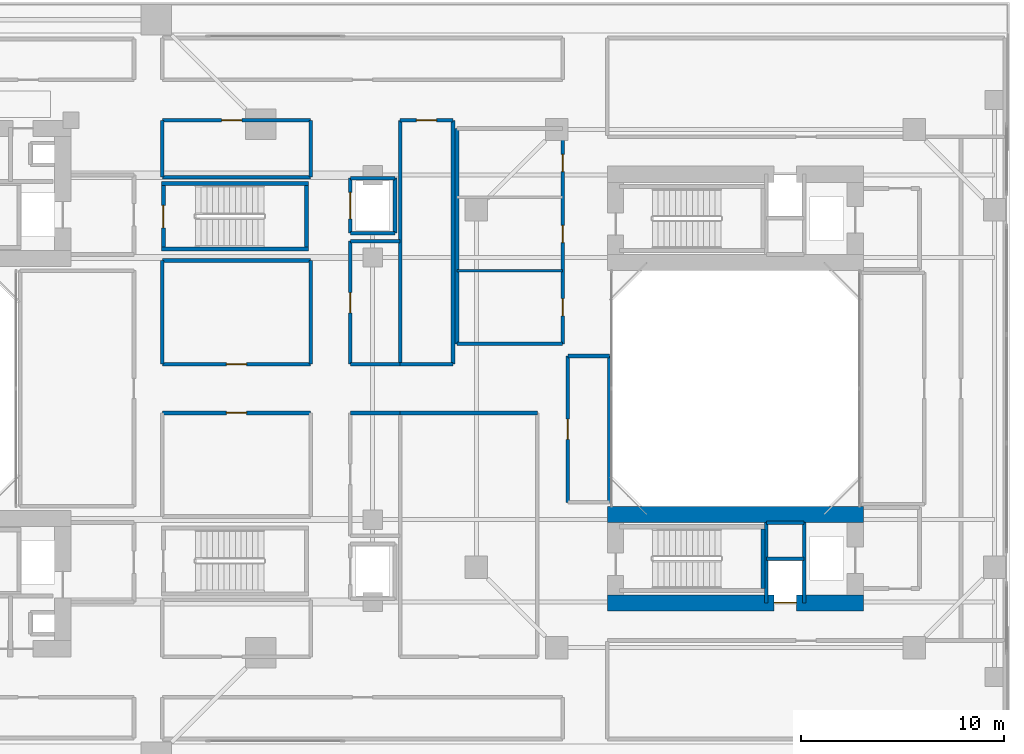
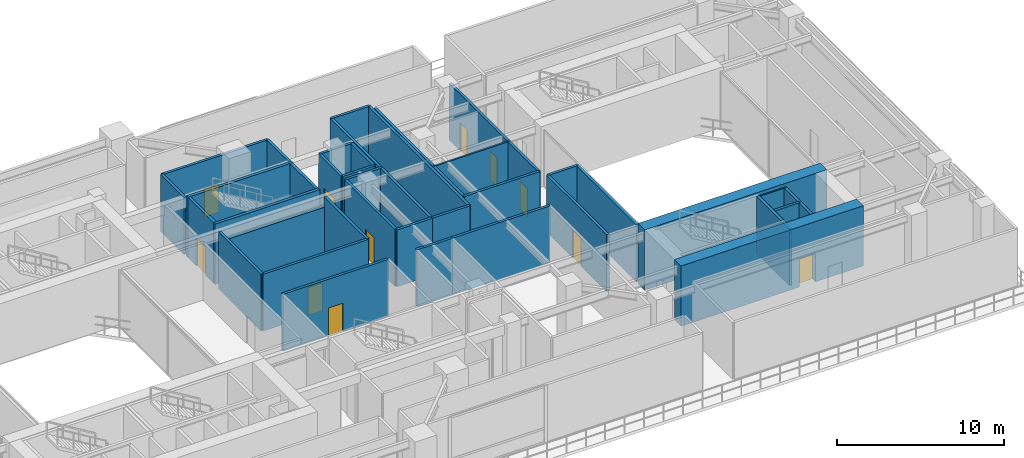
# One storey, part 14 of 20: 40 walls, 12 doors, 12 openings.
"""IFC4 building model written with IfcOpenShell, lengths in metres."""

import ifcopenshell
import ifcopenshell.guid

model = None  # the IFC model being written
_history = None  # IfcOwnerHistory: only IFC2X3 demands one
_inside = {}  # id of a spatial element -> (the spatial element, [elements in it])
_under = {}  # id of a project, library or spatial element -> (it, [spatial elements below it])
_declared = {}  # id of a project -> (the project, [libraries it declares])
_typed = {}  # id of a type object -> (the type object, [elements of that type])
_made_of = {}  # id of a material, layer set ... -> (it, [elements and type objects made of it])


def new_model(schema):
    """Start an empty IFC model of exactly this schema.

    Asked for "IFC4X3", IfcOpenShell would pick the latest addendum, in which some entities
    have other attributes; the version numbers below select the first issue.
    IFC2X3 requires an IfcOwnerHistory on every rooted entity: one is made here for all.
    """
    global model, _history
    if schema == "IFC4X3":
        model = ifcopenshell.file(schema_version=(4, 3, 0, 0))
    else:
        model = ifcopenshell.file(schema=schema)
    _inside.clear()
    _under.clear()
    _declared.clear()
    _typed.clear()
    _made_of.clear()
    _history = None
    if model.schema == "IFC2X3":
        org = make("IfcOrganization", Name="unknown")
        user = make(
            "IfcPersonAndOrganization",
            ThePerson=make("IfcPerson", FamilyName="unknown"),
            TheOrganization=org,
        )
        app = make(
            "IfcApplication",
            ApplicationDeveloper=org,
            Version="unknown",
            ApplicationFullName="unknown",
            ApplicationIdentifier="unknown",
        )
        _history = make(
            "IfcOwnerHistory",
            OwningUser=user,
            OwningApplication=app,
            ChangeAction="ADDED",
            CreationDate=0,
        )
    return model


def make(cls, **values):
    """One entity of the class cls with the attributes given. An attribute that is None is left unset."""
    return model.create_entity(
        cls, **{name: value for name, value in values.items() if value is not None}
    )


def rooted(cls, **values):
    """An entity with a GlobalId (a new one), such as an element, a storey or a relation."""
    return make(cls, GlobalId=ifcopenshell.guid.new(), OwnerHistory=_history, **values)


def si_unit(unit_type, name, prefix=None):
    """IfcSIUnit, for example si_unit("LENGTHUNIT", "METRE", prefix="MILLI")."""
    return make("IfcSIUnit", UnitType=unit_type, Prefix=prefix, Name=name)


def assignment(units):
    """IfcUnitAssignment: the units of a project."""
    return None if units is None else make("IfcUnitAssignment", Units=units)


def point(xyz):
    """IfcCartesianPoint."""
    return None if xyz is None else make("IfcCartesianPoint", Coordinates=xyz)


def direction(xyz):
    """IfcDirection."""
    return None if xyz is None else make("IfcDirection", DirectionRatios=xyz)


def frame(location, z_axis=None, x_axis=None):
    """IfcAxis2Placement3D, a coordinate frame: its origin and axes. An axis left out is left unset."""
    return make(
        "IfcAxis2Placement3D",
        Location=point(location),
        Axis=direction(z_axis),
        RefDirection=direction(x_axis),
    )


def frame_2d(location, x_axis=None):
    """IfcAxis2Placement2D, a coordinate frame in the plane: its origin and x axis."""
    return make(
        "IfcAxis2Placement2D", Location=point(location), RefDirection=direction(x_axis)
    )


def origin():
    """The frame at (0, 0, 0) with its axes left unset."""
    return frame((0.0, 0.0, 0.0))


def place(relative_to, where):
    """IfcLocalPlacement: puts the frame where relative to a parent placement (None: the world)."""
    return make(
        "IfcLocalPlacement", PlacementRelTo=relative_to, RelativePlacement=where
    )


def context(
    kind, dimensions, precision=None, world=None, true_north=None, identifier=None
):
    """IfcGeometricRepresentationContext, for example the 3D "Model" context."""
    return make(
        "IfcGeometricRepresentationContext",
        ContextIdentifier=identifier,
        ContextType=kind,
        CoordinateSpaceDimension=dimensions,
        Precision=precision,
        WorldCoordinateSystem=world,
        TrueNorth=true_north,
    )


def subcontext(parent, identifier, kind, view, scale=None):
    """IfcGeometricRepresentationSubContext, for example "Body" below "Model"."""
    return make(
        "IfcGeometricRepresentationSubContext",
        ContextIdentifier=identifier,
        ContextType=kind,
        ParentContext=parent,
        TargetScale=scale,
        TargetView=view,
    )


def project(units=None, contexts=None):
    """IfcProject with its units and contexts."""
    return rooted(
        "IfcProject",
        Name="project",
        RepresentationContexts=contexts,
        UnitsInContext=assignment(units),
    )


def spatial(cls, under=None, at=None, **own):
    """A site, building, storey or space (cls), placed at a placement, below another one or the project."""
    s = rooted(cls, ObjectPlacement=at, **own)
    if under is not None:
        _under.setdefault(under.id(), (under, []))[1].append(s)
    return s


def profile(cls, at=None, kind="AREA", **sizes):
    """A parametric profile (cls). Its sizes go by their IFC names, for example OverallWidth=200.0."""
    return make(cls, ProfileType=kind, Position=at, **sizes)


def rectangle(**sizes):
    """IfcRectangleProfileDef."""
    return profile("IfcRectangleProfileDef", **sizes)


def extrude(swept, where, along, depth):
    """IfcExtrudedAreaSolid: the profile swept, set in the frame where, extruded along a direction by depth."""
    return make(
        "IfcExtrudedAreaSolid",
        SweptArea=swept,
        Position=where,
        ExtrudedDirection=direction(along),
        Depth=depth,
    )


def shape(context_of_items, identifier, shape_type, items):
    """IfcShapeRepresentation: the items that make up one representation, for example the "Body"."""
    return make(
        "IfcShapeRepresentation",
        ContextOfItems=context_of_items,
        RepresentationIdentifier=identifier,
        RepresentationType=shape_type,
        Items=items,
    )


def source(mapping_origin, context_of_items, identifier, shape_type, items):
    """IfcRepresentationMap: a shape defined once, which mapped items show again and again."""
    return make(
        "IfcRepresentationMap",
        MappingOrigin=mapping_origin,
        MappedRepresentation=shape(context_of_items, identifier, shape_type, items),
    )


def transform(
    local_origin,
    x_axis=None,
    y_axis=None,
    z_axis=None,
    scale=None,
    scale2=None,
    scale3=None,
    uniform=True,
):
    """IfcCartesianTransformationOperator3D, or its non-uniform kind. x_axis, y_axis, z_axis: its Axis1, 2, 3."""
    if uniform:
        return make(
            "IfcCartesianTransformationOperator3D",
            Axis1=direction(x_axis),
            Axis2=direction(y_axis),
            LocalOrigin=point(local_origin),
            Scale=scale,
            Axis3=direction(z_axis),
        )
    return make(
        "IfcCartesianTransformationOperator3DnonUniform",
        Axis1=direction(x_axis),
        Axis2=direction(y_axis),
        LocalOrigin=point(local_origin),
        Scale=scale,
        Axis3=direction(z_axis),
        Scale2=scale2,
        Scale3=scale3,
    )


def mapped(mapping_source, mapping_target):
    """IfcMappedItem: shows the shape of a source again, moved by a transform."""
    return make(
        "IfcMappedItem", MappingSource=mapping_source, MappingTarget=mapping_target
    )


def material(Name=None, Category=None):
    """IfcMaterial."""
    return make("IfcMaterial", Name=Name, Category=Category)


def layer(
    of_material, thickness, ventilated=None, Name=None, Category=None, Priority=None
):
    """IfcMaterialLayer: one layer of a wall or slab, of a material (None: an air gap)."""
    return make(
        "IfcMaterialLayer",
        Material=of_material,
        LayerThickness=thickness,
        IsVentilated=ventilated,
        Name=Name,
        Category=Category,
        Priority=Priority,
    )


def layer_set(layers, Name=None):
    """IfcMaterialLayerSet."""
    return make("IfcMaterialLayerSet", MaterialLayers=layers, LayerSetName=Name)


def made_of(thing, what):
    """Note that an element or type object is made of a material, layer set ...; save() writes the relation."""
    if what is not None:
        _made_of.setdefault(what.id(), (what, []))[1].append(thing)
    return thing


def type_object(cls, material=None, **own):
    """A type object (cls), such as IfcWallType, which elements share."""
    return made_of(rooted(cls, **own), material)


def element(
    cls,
    number,
    at=None,
    inside=None,
    cuts=None,
    type_object=None,
    material=None,
    context=None,
    identifier="Body",
    shape_type=None,
    held_by="IfcProductDefinitionShape",
    body=None,
    shapes=None,
    **own,
):
    """One element of the class cls, such as IfcWall. Its Tag is "e" and its number.

    at: its placement. inside: the storey or other place that contains it. cuts: it is an
    opening in that element (IfcRelVoidsElement). A single representation is given by context,
    identifier, shape_type and body (its items); several are given by shapes. held_by: the class
    of the entity that holds the representations. save() writes the other relations.
    """
    e = rooted(cls, Tag="e%d" % number, ObjectPlacement=at, **own)
    if body is not None:
        shapes = [shape(context, identifier, shape_type, body)]
    if shapes is not None:
        e.Representation = make(held_by, Representations=shapes)
    if inside is not None:
        _inside.setdefault(inside.id(), (inside, []))[1].append(e)
    if cuts is not None:
        rooted(
            "IfcRelVoidsElement", RelatingBuildingElement=cuts, RelatedOpeningElement=e
        )
    if type_object is not None:
        _typed.setdefault(type_object.id(), (type_object, []))[1].append(e)
    return made_of(e, material)


def fill(opening, filler):
    """IfcRelFillsElement: the door or window that sits in an opening."""
    return rooted(
        "IfcRelFillsElement",
        RelatingOpeningElement=opening,
        RelatedBuildingElement=filler,
    )


def aggregate(whole, parts):
    """IfcRelAggregates: a whole, such as a stair, and the parts it consists of."""
    return rooted("IfcRelAggregates", RelatingObject=whole, RelatedObjects=parts)


def save(model, path):
    """Write the relations noted so far, then the file.

    IfcRelAggregates (storeys below a building ...), IfcRelContainedInSpatialStructure (elements
    in a storey), IfcRelDefinesByType, IfcRelAssociatesMaterial and IfcRelDeclares: one each for
    every whole, place, type object, material and project.
    """
    for whole, parts in _under.values():
        aggregate(whole, parts)
    for where, things in _inside.values():
        rooted(
            "IfcRelContainedInSpatialStructure",
            RelatedElements=things,
            RelatingStructure=where,
        )
    for kind, things in _typed.values():
        rooted("IfcRelDefinesByType", RelatedObjects=things, RelatingType=kind)
    for what, things in _made_of.values():
        rooted("IfcRelAssociatesMaterial", RelatedObjects=things, RelatingMaterial=what)
    for by, libraries in _declared.values():
        rooted("IfcRelDeclares", RelatingContext=by, RelatedDefinitions=libraries)
    model.write(path)


model = new_model("IFC4")

# Units and contexts
model_context = context("Model", 3, precision=1e-05, world=origin(), true_north=direction((0.0, 1.0)))
body_context = subcontext(model_context, "Body", "Model", "MODEL_VIEW")
ifc_project = project(units=[si_unit("LENGTHUNIT", "METRE"), si_unit("AREAUNIT", "SQUARE_METRE"), si_unit("VOLUMEUNIT", "CUBIC_METRE"), si_unit("PLANEANGLEUNIT", "RADIAN"), si_unit("MASSUNIT", "GRAM", prefix="KILO"), si_unit("THERMODYNAMICTEMPERATUREUNIT", "KELVIN"), si_unit("POWERUNIT", "WATT")], contexts=[model_context])

# Site, building, storey
site_placement = place(None, origin())
site = spatial("IfcSite", under=ifc_project, at=site_placement, CompositionType="ELEMENT")
building_placement = place(site_placement, origin())
building = spatial("IfcBuilding", under=site, at=building_placement, Name="Qiaomeng Ring Towers", CompositionType="ELEMENT")
storey_placement = place(building_placement, frame((0.0, 0.0, 13.800048828125)))
storey = spatial("IfcBuildingStorey", under=building, at=storey_placement, Name="L03", CompositionType="ELEMENT", Elevation=13.800048828125)

# Wall, openings, doors
ifc_material_1 = material(Name="Autoclaved aerated concrete block", Category="concrete")
ifc_layer_1 = layer(ifc_material_1, 0.179931640625, Name="Autoclaved aerated concrete block")
ifc_layer_set_1 = layer_set([ifc_layer_1], Name="Autoclaved aerated concrete block")
wall_type_1 = type_object("IfcWallType", Name="ARC-WL-PW2", PredefinedType="PARTITIONING", material=ifc_layer_set_1)
wall_1_placement = place(storey_placement, frame((52.0, 25.199951171875, 0.0), z_axis=(0.0, 0.0, 1.0), x_axis=(0.0, 1.0, 0.0)))
wall_1 = element("IfcWall", 1, at=wall_1_placement, inside=storey, type_object=wall_type_1, Name="L03 Interior Wall PW2", PredefinedType="PARTITIONING", context=body_context, shape_type="SweptSolid", body=[
    extrude(rectangle(XDim=10.60009765625, YDim=0.179931640625, at=frame_2d((5.300048828125, 0.0))), origin(), (0.0, 0.0, 1.0), 4.14990234375),
])
opening_1_placement = place(wall_1_placement, frame((1.375, 0.0, 0.0)))
opening_1 = element("IfcOpeningElement", 2, at=opening_1_placement, cuts=wall_1, Name="Opening ID2", PredefinedType="OPENING", context=body_context, shape_type="SweptSolid", body=[
    extrude(rectangle(XDim=0.85009765625, YDim=2.050048828125, at=frame_2d((0.425048828125, 1.02490234375))), frame((0.0, 0.099853515625, 0.0), z_axis=(0.0, -1.0, 0.0), x_axis=(1.0, 0.0, 0.0)), (0.0, 0.0, 1.0), 0.199951171875),
])
opening_2_placement = place(wall_1_placement, frame((4.97998046875, 0.0, 0.0)))
opening_2 = element("IfcOpeningElement", 3, at=opening_2_placement, cuts=wall_1, Name="Opening ID2", PredefinedType="OPENING", context=body_context, shape_type="SweptSolid", body=[
    extrude(rectangle(XDim=0.85009765625, YDim=2.050048828125, at=frame_2d((0.425048828125, 1.02490234375))), frame((0.0, 0.099853515625, 0.0), z_axis=(0.0, -1.0, 0.0), x_axis=(1.0, 0.0, 0.0)), (0.0, 0.0, 1.0), 0.199951171875),
])
opening_3_placement = place(wall_1_placement, frame((8.47998046875, 0.0, 0.0)))
opening_3 = element("IfcOpeningElement", 4, at=opening_3_placement, cuts=wall_1, Name="Opening ID2", PredefinedType="OPENING", context=body_context, shape_type="SweptSolid", body=[
    extrude(rectangle(XDim=0.85009765625, YDim=2.050048828125, at=frame_2d((0.425048828125, 1.02490234375))), frame((0.0, 0.099853515625, 0.0), z_axis=(0.0, -1.0, 0.0), x_axis=(1.0, 0.0, 0.0)), (0.0, 0.0, 1.0), 0.199951171875),
])
ifc_material_2 = material(Name="Moisture-resistant engineered timber", Category="wood")
door_type_1 = type_object("IfcDoorType", Name="ARC-DR-ID2", OperationType="NOTDEFINED", PredefinedType="DOOR", material=ifc_material_2)
shared_shape_1 = source(origin(), body_context, "Body", "SweptSolid", [
    extrude(rectangle(XDim=0.85009765625, YDim=2.050048828125, at=frame_2d((0.425048828125, 1.02490234375))), frame((0.0, 0.02490234375, 0.0), z_axis=(0.0, -1.0, 0.0), x_axis=(1.0, 0.0, 0.0)), (0.0, 0.0, 1.0), 0.050048828125),
])
door_1_placement = place(opening_1_placement, origin())
door_1 = element("IfcDoor", 5, at=door_1_placement, inside=storey, type_object=door_type_1, Name="L03 Door ID2", OperationType="SINGLE_SWING_RIGHT", OverallHeight=2.050048828125, OverallWidth=0.85009765625, PredefinedType="DOOR", context=body_context, shape_type="MappedRepresentation", body=[
    mapped(shared_shape_1, transform((0.0, 0.0, 0.0), x_axis=(1.0, 0.0, 0.0), y_axis=(0.0, 1.0, 0.0), z_axis=(0.0, 0.0, 1.0), scale=1.0)),
])
fill(opening_1, door_1)
door_2_placement = place(opening_2_placement, origin())
door_2 = element("IfcDoor", 6, at=door_2_placement, inside=storey, type_object=door_type_1, Name="L03 Door ID2", OperationType="SINGLE_SWING_LEFT", OverallHeight=2.050048828125, OverallWidth=0.85009765625, PredefinedType="DOOR", context=body_context, shape_type="MappedRepresentation", body=[
    mapped(shared_shape_1, transform((0.0, 0.0, 0.0), x_axis=(1.0, 0.0, 0.0), y_axis=(0.0, 1.0, 0.0), z_axis=(0.0, 0.0, 1.0), scale=1.0)),
])
fill(opening_2, door_2)
door_3_placement = place(opening_3_placement, origin())
door_3 = element("IfcDoor", 7, at=door_3_placement, inside=storey, type_object=door_type_1, Name="L03 Door ID2", OperationType="SINGLE_SWING_RIGHT", OverallHeight=2.050048828125, OverallWidth=0.85009765625, PredefinedType="DOOR", context=body_context, shape_type="MappedRepresentation", body=[
    mapped(shared_shape_1, transform((0.0, 0.0, 0.0), x_axis=(1.0, 0.0, 0.0), y_axis=(0.0, 1.0, 0.0), z_axis=(0.0, 0.0, 1.0), scale=1.0)),
])
fill(opening_3, door_3)

# Walls
wall_2_placement = place(storey_placement, frame((46.800048828125, 25.199951171875, 0.0), z_axis=(0.0, 0.0, 1.0), x_axis=(0.0, 1.0, 0.0)))
element("IfcWall", 8, at=wall_2_placement, inside=storey, type_object=wall_type_1, Name="L03 Interior Wall PW2", PredefinedType="PARTITIONING", context=body_context, shape_type="SweptSolid", body=[
    extrude(rectangle(XDim=10.60009765625, YDim=0.179931640625, at=frame_2d((5.300048828125, 0.0))), origin(), (0.0, 0.0, 1.0), 4.14990234375),
])
wall_3_placement = place(storey_placement, frame((46.800048828125, 25.199951171875, 0.0), z_axis=(0.0, 0.0, 1.0), x_axis=(1.0, 0.0, 0.0)))
element("IfcWall", 9, at=wall_3_placement, inside=storey, type_object=wall_type_1, Name="L03 Interior Wall PW2", PredefinedType="PARTITIONING", context=body_context, shape_type="SweptSolid", body=[
    extrude(rectangle(XDim=5.199951171875, YDim=0.179931640625, at=frame_2d((2.60009765625, 0.0))), origin(), (0.0, 0.0, 1.0), 4.14990234375),
])

# Wall, opening, door
wall_4_placement = place(storey_placement, frame((32.300048828125, 24.199951171875, 0.0), z_axis=(0.0, 0.0, 1.0), x_axis=(1.0, 0.0, 0.0)))
wall_4 = element("IfcWall", 10, at=wall_4_placement, inside=storey, type_object=wall_type_1, Name="L03 Interior Wall PW2", PredefinedType="PARTITIONING", context=body_context, shape_type="SweptSolid", body=[
    extrude(rectangle(XDim=7.300048828125, YDim=0.179931640625, at=frame_2d((3.64990234375, 0.0))), origin(), (0.0, 0.0, 1.0), 4.14990234375),
])
opening_4_placement = place(wall_4_placement, frame((3.14990234375, 0.0, 0.0)))
opening_4 = element("IfcOpeningElement", 11, at=opening_4_placement, cuts=wall_4, Name="Opening FD4", PredefinedType="OPENING", context=body_context, shape_type="SweptSolid", body=[
    extrude(rectangle(XDim=1.0, YDim=2.050048828125, at=frame_2d((0.5, 1.02490234375))), frame((0.0, 0.099853515625, 0.0), z_axis=(0.0, -1.0, 0.0), x_axis=(1.0, 0.0, 0.0)), (0.0, 0.0, 1.0), 0.199951171875),
])
ifc_material_3 = material(Name="Engineered fire-rated oak timber", Category="wood")
door_type_2 = type_object("IfcDoorType", Name="ARC-DR-FD4", OperationType="NOTDEFINED", PredefinedType="DOOR", material=ifc_material_3)
shared_shape_2 = source(origin(), body_context, "Body", "SweptSolid", [
    extrude(rectangle(XDim=1.0, YDim=2.050048828125, at=frame_2d((0.5, 1.02490234375))), frame((0.0, 0.02490234375, 0.0), z_axis=(0.0, -1.0, 0.0), x_axis=(1.0, 0.0, 0.0)), (0.0, 0.0, 1.0), 0.050048828125),
])
door_4_placement = place(opening_4_placement, origin())
door_4 = element("IfcDoor", 12, at=door_4_placement, inside=storey, type_object=door_type_2, Name="L03 L03 Ultrasound Diagnostic Suite Door", OperationType="SINGLE_SWING_RIGHT", OverallHeight=2.050048828125, OverallWidth=1.0, PredefinedType="DOOR", context=body_context, shape_type="MappedRepresentation", body=[
    mapped(shared_shape_2, transform((0.0, 0.0, 0.0), x_axis=(1.0, 0.0, 0.0), y_axis=(0.0, 1.0, 0.0), z_axis=(0.0, 0.0, 1.0), scale=1.0)),
])
fill(opening_4, door_4)

# Walls
wall_5_placement = place(storey_placement, frame((32.300048828125, 29.300048828125, 0.0), z_axis=(0.0, 0.0, 1.0), x_axis=(1.0, 0.0, 0.0)))
element("IfcWall", 13, at=wall_5_placement, inside=storey, type_object=wall_type_1, Name="L03 Interior Wall PW2", PredefinedType="PARTITIONING", context=body_context, shape_type="SweptSolid", body=[
    extrude(rectangle(XDim=7.300048828125, YDim=0.179931640625, at=frame_2d((3.64990234375, 0.0))), origin(), (0.0, 0.0, 1.0), 3.445068359375),
])
for number, where, z_axis, x_axis, name in (
    (14, (32.300048828125, 24.199951171875, 0.0), (0.0, 0.0, 1.0), (0.0, 1.0, 0.0), "L03 Interior Wall PW2"),
    (15, (39.60009765625, 24.199951171875, 0.0), (0.0, 0.0, 1.0), (0.0, 1.0, 0.0), "L03 Interior Wall PW2"),
):
    element("IfcWall", number, at=place(storey_placement, frame(where, z_axis=z_axis, x_axis=x_axis)), inside=storey, type_object=wall_type_1, Name=name, PredefinedType="PARTITIONING", context=body_context, shape_type="SweptSolid", body=[
        extrude(rectangle(XDim=5.10009765625, YDim=0.179931640625, at=frame_2d((2.550048828125, 0.0))), origin(), (0.0, 0.0, 1.0), 4.14990234375),
    ])
wall_6_placement = place(storey_placement, frame((32.300048828125, 33.39990234375, 0.0), z_axis=(0.0, 0.0, 1.0), x_axis=(1.0, 0.0, 0.0)))
element("IfcWall", 16, at=wall_6_placement, inside=storey, type_object=wall_type_1, Name="L03 Interior Wall PW2", PredefinedType="PARTITIONING", context=body_context, shape_type="SweptSolid", body=[
    extrude(rectangle(XDim=7.300048828125, YDim=0.179931640625, at=frame_2d((3.64990234375, 0.0))), origin(), (0.0, 0.0, 1.0), 3.445068359375),
])

# Wall, opening, door
wall_7_placement = place(storey_placement, frame((32.300048828125, 36.199951171875, 0.0), z_axis=(0.0, 0.0, 1.0), x_axis=(1.0, 0.0, 0.0)))
wall_7 = element("IfcWall", 17, at=wall_7_placement, inside=storey, type_object=wall_type_1, Name="L03 Interior Wall PW2", PredefinedType="PARTITIONING", context=body_context, shape_type="SweptSolid", body=[
    extrude(rectangle(XDim=7.300048828125, YDim=0.179931640625, at=frame_2d((3.64990234375, 0.0))), origin(), (0.0, 0.0, 1.0), 4.14990234375),
])
opening_5_placement = place(wall_7_placement, frame((2.9169921875, 0.0, 0.0)))
opening_5 = element("IfcOpeningElement", 18, at=opening_5_placement, cuts=wall_7, Name="Opening FD4", PredefinedType="OPENING", context=body_context, shape_type="SweptSolid", body=[
    extrude(rectangle(XDim=1.0, YDim=2.050048828125, at=frame_2d((0.5, 1.02490234375))), frame((0.0, 0.099853515625, 0.0), z_axis=(0.0, -1.0, 0.0), x_axis=(1.0, 0.0, 0.0)), (0.0, 0.0, 1.0), 0.199951171875),
])
door_5_placement = place(opening_5_placement, origin())
door_5 = element("IfcDoor", 19, at=door_5_placement, inside=storey, type_object=door_type_2, Name="L03 L03 Cardiology Examination Room Door", OperationType="SINGLE_SWING_LEFT", OverallHeight=2.050048828125, OverallWidth=1.0, PredefinedType="DOOR", context=body_context, shape_type="MappedRepresentation", body=[
    mapped(shared_shape_2, transform((0.0, 0.0, 0.0), x_axis=(1.0, 0.0, 0.0), y_axis=(0.0, 1.0, 0.0), z_axis=(0.0, 0.0, 1.0), scale=1.0)),
])
fill(opening_5, door_5)

# Walls
for number, where, z_axis, x_axis, name in (
    (20, (32.300048828125, 33.39990234375, 0.0), (0.0, 0.0, 1.0), (0.0, 1.0, 0.0), "L03 Interior Wall PW2"),
    (21, (39.60009765625, 33.39990234375, 0.0), (0.0, 0.0, 1.0), (0.0, 1.0, 0.0), "L03 Interior Wall PW2"),
):
    element("IfcWall", number, at=place(storey_placement, frame(where, z_axis=z_axis, x_axis=x_axis)), inside=storey, type_object=wall_type_1, Name=name, PredefinedType="PARTITIONING", context=body_context, shape_type="SweptSolid", body=[
        extrude(rectangle(XDim=2.800048828125, YDim=0.179931640625, at=frame_2d((1.39990234375, 0.0))), origin(), (0.0, 0.0, 1.0), 4.14990234375),
    ])

# Wall, opening, door
wall_8_placement = place(storey_placement, frame((32.300048828125, 21.800048828125, 0.0), z_axis=(0.0, 0.0, 1.0), x_axis=(1.0, 0.0, 0.0)))
wall_8 = element("IfcWall", 22, at=wall_8_placement, inside=storey, type_object=wall_type_1, Name="L03 Interior Wall PW2", PredefinedType="PARTITIONING", context=body_context, shape_type="SweptSolid", body=[
    extrude(rectangle(XDim=7.300048828125, YDim=0.179931640625, at=frame_2d((3.64990234375, 0.0))), origin(), (0.0, 0.0, 1.0), 4.14990234375),
])
opening_6_placement = place(wall_8_placement, frame((3.14990234375, 0.0, 0.0)))
opening_6 = element("IfcOpeningElement", 23, at=opening_6_placement, cuts=wall_8, Name="Opening FD4", PredefinedType="OPENING", context=body_context, shape_type="SweptSolid", body=[
    extrude(rectangle(XDim=1.0, YDim=2.050048828125, at=frame_2d((0.5, 1.02490234375))), frame((0.0, 0.099853515625, 0.0), z_axis=(0.0, -1.0, 0.0), x_axis=(1.0, 0.0, 0.0)), (0.0, 0.0, 1.0), 0.199951171875),
])
door_6_placement = place(opening_6_placement, origin())
door_6 = element("IfcDoor", 24, at=door_6_placement, inside=storey, type_object=door_type_2, Name="L03 L03 Clinical Pathology Laboratory Door", OperationType="SINGLE_SWING_RIGHT", OverallHeight=2.050048828125, OverallWidth=1.0, PredefinedType="DOOR", context=body_context, shape_type="MappedRepresentation", body=[
    mapped(shared_shape_2, transform((0.0, 0.0, 0.0), x_axis=(1.0, 0.0, 0.0), y_axis=(0.0, 1.0, 0.0), z_axis=(0.0, 0.0, 1.0), scale=1.0)),
])
fill(opening_6, door_6)

# Walls
wall_9_placement = place(storey_placement, frame((44.0, 21.800048828125, 0.0), z_axis=(0.0, 0.0, 1.0), x_axis=(1.0, 0.0, 0.0)))
element("IfcWall", 25, at=wall_9_placement, inside=storey, type_object=wall_type_1, Name="L03 Interior Wall PW2", PredefinedType="PARTITIONING", context=body_context, shape_type="SweptSolid", body=[
    extrude(rectangle(XDim=6.75, YDim=0.179931640625, at=frame_2d((3.375, 0.0))), origin(), (0.0, 0.0, 1.0), 4.14990234375),
])
wall_10_placement = place(storey_placement, frame((44.0, 24.199951171875, 0.0), z_axis=(0.0, 0.0, 1.0), x_axis=(1.0, 0.0, 0.0)))
element("IfcWall", 26, at=wall_10_placement, inside=storey, type_object=wall_type_1, Name="L03 Interior Wall PW2", PredefinedType="PARTITIONING", context=body_context, shape_type="SweptSolid", body=[
    extrude(rectangle(XDim=2.60009765625, YDim=0.179931640625, at=frame_2d((1.300048828125, 0.0))), origin(), (0.0, 0.0, 1.0), 4.14990234375),
])

# Wall, opening, door
wall_11_placement = place(storey_placement, frame((44.0, 36.199951171875, 0.0), z_axis=(0.0, 0.0, 1.0), x_axis=(1.0, 0.0, 0.0)))
wall_11 = element("IfcWall", 27, at=wall_11_placement, inside=storey, type_object=wall_type_1, Name="L03 Interior Wall PW2", PredefinedType="PARTITIONING", context=body_context, shape_type="SweptSolid", body=[
    extrude(rectangle(XDim=2.60009765625, YDim=0.179931640625, at=frame_2d((1.300048828125, 0.0))), origin(), (0.0, 0.0, 1.0), 4.14990234375),
])
opening_7_placement = place(wall_11_placement, frame((0.800048828125, 0.0, 0.0)))
opening_7 = element("IfcOpeningElement", 28, at=opening_7_placement, cuts=wall_11, Name="Opening FD4", PredefinedType="OPENING", context=body_context, shape_type="SweptSolid", body=[
    extrude(rectangle(XDim=1.0, YDim=2.050048828125, at=frame_2d((0.5, 1.02490234375))), frame((0.0, 0.099853515625, 0.0), z_axis=(0.0, -1.0, 0.0), x_axis=(1.0, 0.0, 0.0)), (0.0, 0.0, 1.0), 0.199951171875),
])
door_7_placement = place(opening_7_placement, origin())
door_7 = element("IfcDoor", 29, at=door_7_placement, inside=storey, type_object=door_type_2, Name="L03 L03 Dental Care Clinic Door", OperationType="SINGLE_SWING_LEFT", OverallHeight=2.050048828125, OverallWidth=1.0, PredefinedType="DOOR", context=body_context, shape_type="MappedRepresentation", body=[
    mapped(shared_shape_2, transform((0.0, 0.0, 0.0), x_axis=(1.0, 0.0, 0.0), y_axis=(0.0, 1.0, 0.0), z_axis=(0.0, 0.0, 1.0), scale=1.0)),
])
fill(opening_7, door_7)

# Walls
for number, where, z_axis, x_axis, name in (
    (30, (44.0, 24.199951171875, 0.0), (0.0, 0.0, 1.0), (0.0, 1.0, 0.0), "L03 Interior Wall PW2"),
    (31, (46.60009765625, 24.199951171875, 0.0), (0.0, 0.0, 1.0), (0.0, 1.0, 0.0), "L03 Interior Wall PW2"),
):
    element("IfcWall", number, at=place(storey_placement, frame(where, z_axis=z_axis, x_axis=x_axis)), inside=storey, type_object=wall_type_1, Name=name, PredefinedType="PARTITIONING", context=body_context, shape_type="SweptSolid", body=[
        extrude(rectangle(XDim=12.0, YDim=0.179931640625, at=frame_2d((6.0, 0.0))), origin(), (0.0, 0.0, 1.0), 4.14990234375),
    ])
for number, where, z_axis, x_axis, name in (
    (32, (41.550048828125, 24.199951171875, 0.0), (0.0, 0.0, 1.0), (1.0, 0.0, 0.0), "L03 Interior Wall PW2"),
    (33, (41.550048828125, 30.25, 0.0), (0.0, 0.0, 1.0), (1.0, 0.0, 0.0), "L03 Interior Wall PW2"),
):
    element("IfcWall", number, at=place(storey_placement, frame(where, z_axis=z_axis, x_axis=x_axis)), inside=storey, type_object=wall_type_1, Name=name, PredefinedType="PARTITIONING", context=body_context, shape_type="SweptSolid", body=[
        extrude(rectangle(XDim=2.449951171875, YDim=0.179931640625, at=frame_2d((1.22509765625, 0.0))), origin(), (0.0, 0.0, 1.0), 4.14990234375),
    ])

# Wall, opening, door
wall_12_placement = place(storey_placement, frame((41.550048828125, 24.199951171875, 0.0), z_axis=(0.0, 0.0, 1.0), x_axis=(0.0, 1.0, 0.0)))
wall_12 = element("IfcWall", 34, at=wall_12_placement, inside=storey, type_object=wall_type_1, Name="L03 Interior Wall PW2", PredefinedType="PARTITIONING", context=body_context, shape_type="SweptSolid", body=[
    extrude(rectangle(XDim=6.050048828125, YDim=0.179931640625, at=frame_2d((3.02490234375, 0.0))), origin(), (0.0, 0.0, 1.0), 4.14990234375),
])
opening_8_placement = place(wall_12_placement, frame((2.52490234375, 0.0, 0.0)))
opening_8 = element("IfcOpeningElement", 35, at=opening_8_placement, cuts=wall_12, Name="Opening FD4", PredefinedType="OPENING", context=body_context, shape_type="SweptSolid", body=[
    extrude(rectangle(XDim=1.0, YDim=2.050048828125, at=frame_2d((0.5, 1.02490234375))), frame((0.0, 0.099853515625, 0.0), z_axis=(0.0, -1.0, 0.0), x_axis=(1.0, 0.0, 0.0)), (0.0, 0.0, 1.0), 0.199951171875),
])
door_8_placement = place(opening_8_placement, origin())
door_8 = element("IfcDoor", 36, at=door_8_placement, inside=storey, type_object=door_type_2, Name="L03 L03 Health Informatics Office Door", OperationType="SINGLE_SWING_RIGHT", OverallHeight=2.050048828125, OverallWidth=1.0, PredefinedType="DOOR", context=body_context, shape_type="MappedRepresentation", body=[
    mapped(shared_shape_2, transform((0.0, 0.0, 0.0), x_axis=(1.0, 0.0, 0.0), y_axis=(0.0, 1.0, 0.0), z_axis=(0.0, 0.0, 1.0), scale=1.0)),
])
fill(opening_8, door_8)

# Walls
wall_13_placement = place(storey_placement, frame((41.550048828125, 21.800048828125, 0.0), z_axis=(0.0, 0.0, 1.0), x_axis=(1.0, 0.0, 0.0)))
element("IfcWall", 37, at=wall_13_placement, inside=storey, type_object=wall_type_1, Name="L03 Interior Wall PW2", PredefinedType="PARTITIONING", context=body_context, shape_type="SweptSolid", body=[
    extrude(rectangle(XDim=2.449951171875, YDim=0.179931640625, at=frame_2d((1.22509765625, 0.0))), origin(), (0.0, 0.0, 1.0), 4.14990234375),
])
wall_14_placement = place(storey_placement, frame((52.25, 24.60009765625, 0.0), z_axis=(0.0, 0.0, 1.0), x_axis=(1.0, 0.0, 0.0)))
element("IfcWall", 38, at=wall_14_placement, inside=storey, type_object=wall_type_1, Name="L03 Interior Wall PW2", PredefinedType="PARTITIONING", context=body_context, shape_type="SweptSolid", body=[
    extrude(rectangle(XDim=2.050048828125, YDim=0.179931640625, at=frame_2d((1.02490234375, 0.0))), origin(), (0.0, 0.0, 1.0), 4.14990234375),
])

# Wall, opening, door
wall_15_placement = place(storey_placement, frame((52.25, 17.39990234375, 0.0), z_axis=(0.0, 0.0, 1.0), x_axis=(0.0, 1.0, 0.0)))
wall_15 = element("IfcWall", 39, at=wall_15_placement, inside=storey, type_object=wall_type_1, Name="L03 Interior Wall PW2", PredefinedType="PARTITIONING", context=body_context, shape_type="SweptSolid", body=[
    extrude(rectangle(XDim=7.2001953125, YDim=0.179931640625, at=frame_2d((3.60009765625, 0.0))), origin(), (0.0, 0.0, 1.0), 4.14990234375),
])
opening_9_placement = place(wall_15_placement, frame((3.10009765625, 0.0, 0.0)))
opening_9 = element("IfcOpeningElement", 40, at=opening_9_placement, cuts=wall_15, Name="Opening FD4", PredefinedType="OPENING", context=body_context, shape_type="SweptSolid", body=[
    extrude(rectangle(XDim=1.0, YDim=2.050048828125, at=frame_2d((0.5, 1.02490234375))), frame((0.0, 0.099853515625, 0.0), z_axis=(0.0, -1.0, 0.0), x_axis=(1.0, 0.0, 0.0)), (0.0, 0.0, 1.0), 0.199951171875),
])
door_9_placement = place(opening_9_placement, origin())
door_9 = element("IfcDoor", 41, at=door_9_placement, inside=storey, type_object=door_type_2, Name="L03 L03 Audiology Screening Clinic Door", OperationType="SINGLE_SWING_RIGHT", OverallHeight=2.050048828125, OverallWidth=1.0, PredefinedType="DOOR", context=body_context, shape_type="MappedRepresentation", body=[
    mapped(shared_shape_2, transform((0.0, 0.0, 0.0), x_axis=(1.0, 0.0, 0.0), y_axis=(0.0, 1.0, 0.0), z_axis=(0.0, 0.0, 1.0), scale=1.0)),
])
fill(opening_9, door_9)

# Walls
wall_16_placement = place(storey_placement, frame((54.300048828125, 17.39990234375, 0.0), z_axis=(0.0, 0.0, 1.0), x_axis=(0.0, 1.0, 0.0)))
element("IfcWall", 42, at=wall_16_placement, inside=storey, type_object=wall_type_1, Name="L03 Interior Wall PW2", PredefinedType="PARTITIONING", context=body_context, shape_type="SweptSolid", body=[
    extrude(rectangle(XDim=7.2001953125, YDim=0.179931640625, at=frame_2d((3.60009765625, 0.0))), origin(), (0.0, 0.0, 1.0), 4.14990234375),
])
ifc_material_4 = material(Name="Moisture-resistant gypsum steel-stud partition", Category="steel")
ifc_layer_2 = layer(ifc_material_4, 0.1201171875, Name="Moisture-resistant gypsum steel-stud partition")
ifc_layer_set_2 = layer_set([ifc_layer_2], Name="Moisture-resistant gypsum steel-stud partition")
wall_type_2 = type_object("IfcWallType", Name="ARC-WL-PW4", PredefinedType="PLUMBINGWALL", material=ifc_layer_set_2)
wall_17_placement = place(storey_placement, frame((46.800048828125, 28.800048828125, 0.0), z_axis=(0.0, 0.0, 1.0), x_axis=(1.0, 0.0, 0.0)))
element("IfcWall", 43, at=wall_17_placement, inside=storey, type_object=wall_type_2, Name="L03 Interior Wall PW4", PredefinedType="PLUMBINGWALL", context=body_context, shape_type="SweptSolid", body=[
    extrude(rectangle(XDim=5.199951171875, YDim=0.1201171875, at=frame_2d((2.60009765625, 0.0))), origin(), (0.0, 0.0, 1.0), 4.14990234375),
])
ifc_material_5 = material(Name="Concrete C40", Category="concrete")
ifc_layer_3 = layer(ifc_material_5, 0.199951171875, Name="Concrete C40")
ifc_layer_set_3 = layer_set([ifc_layer_3], Name="Concrete C40")
wall_type_3 = type_object("IfcWallType", Name="STR-WL-STSHAFT", PredefinedType="SHEAR", material=ifc_layer_set_3)
for number, where, z_axis, x_axis, name in (
    (44, (62.02001953125, 12.449951171875, 0.0), (0.0, 0.0, 1.0), (0.0, 1.0, 0.0), "L03 Companion Lift Shaft West Wall S"),
    (45, (63.8798828125, 12.449951171875, 0.0), (0.0, 0.0, 1.0), (0.0, 1.0, 0.0), "L03 Companion Lift Shaft East Wall S"),
):
    element("IfcWall", number, at=place(storey_placement, frame(where, z_axis=z_axis, x_axis=x_axis)), inside=storey, type_object=wall_type_3, Name=name, PredefinedType="SHEAR", context=body_context, shape_type="SweptSolid", body=[
        extrude(rectangle(XDim=3.949951171875, YDim=0.179931640625, at=frame_2d((1.97509765625, 0.0))), origin(), (0.0, 0.0, 1.0), 4.14990234375),
    ])
for number, where, z_axis, x_axis, name in (
    (46, (62.02001953125, 14.6201171875, 0.0), (0.0, 0.0, 1.0), (1.0, 0.0, 0.0), "L03 Companion Lift Shaft Divider Wall S"),
    (47, (62.02001953125, 16.39990234375, 0.0), (0.0, 0.0, 1.0), (1.0, 0.0, 0.0), "L03 Companion Riser Shaft Back Wall S"),
):
    element("IfcWall", number, at=place(storey_placement, frame(where, z_axis=z_axis, x_axis=x_axis)), inside=storey, type_object=wall_type_3, Name=name, PredefinedType="SHEAR", context=body_context, shape_type="SweptSolid", body=[
        extrude(rectangle(XDim=1.85986328125, YDim=0.179931640625, at=frame_2d((0.929931640625, 0.0))), origin(), (0.0, 0.0, 1.0), 4.14990234375),
    ])

# Wall, opening, door
wall_18_placement = place(storey_placement, frame((41.550048828125, 30.64990234375, 0.0), z_axis=(0.0, 0.0, 1.0), x_axis=(0.0, 1.0, 0.0)))
wall_18 = element("IfcWall", 48, at=wall_18_placement, inside=storey, type_object=wall_type_3, Name="L03 Medical Lift LP9 West Shaft Wall", PredefinedType="SHEAR", context=body_context, shape_type="SweptSolid", body=[
    extrude(rectangle(XDim=2.7001953125, YDim=0.179931640625, at=frame_2d((1.35009765625, 0.0))), origin(), (0.0, 0.0, 1.0), 4.14990234375),
])
opening_10_placement = place(wall_18_placement, frame((0.699951171875, 0.0, 0.0)))
opening_10 = element("IfcOpeningElement", 49, at=opening_10_placement, cuts=wall_18, Name="Opening LD2", PredefinedType="OPENING", context=body_context, shape_type="SweptSolid", body=[
    extrude(rectangle(XDim=1.300048828125, YDim=2.050048828125, at=frame_2d((0.64990234375, 1.02490234375))), frame((0.0, 0.099853515625, 0.0), z_axis=(0.0, -1.0, 0.0), x_axis=(1.0, 0.0, 0.0)), (0.0, 0.0, 1.0), 0.199951171875),
])
ifc_material_6 = material(Name="Stainless steel 316", Category="steel")
door_type_3 = type_object("IfcDoorType", Name="ARC-DR-LD2", OperationType="NOTDEFINED", PredefinedType="DOOR", material=ifc_material_6)
shared_shape_3 = source(origin(), body_context, "Body", "SweptSolid", [
    extrude(rectangle(XDim=1.300048828125, YDim=2.050048828125, at=frame_2d((0.64990234375, 1.02490234375))), frame((0.0, 0.02490234375, 0.0), z_axis=(0.0, -1.0, 0.0), x_axis=(1.0, 0.0, 0.0)), (0.0, 0.0, 1.0), 0.050048828125),
])
door_10_placement = place(opening_10_placement, origin())
door_10 = element("IfcDoor", 50, at=door_10_placement, inside=storey, type_object=door_type_3, Name="L03 Medical Lift LP9 Landing Door", OperationType="SLIDING_TO_LEFT", OverallHeight=2.050048828125, OverallWidth=1.300048828125, PredefinedType="DOOR", context=body_context, shape_type="MappedRepresentation", body=[
    mapped(shared_shape_3, transform((0.0, 0.0, 0.0), x_axis=(1.0, 0.0, 0.0), y_axis=(0.0, 1.0, 0.0), z_axis=(0.0, 0.0, 1.0), scale=1.0)),
])
fill(opening_10, door_10)

# Walls
wall_19_placement = place(storey_placement, frame((43.75, 30.64990234375, 0.0), z_axis=(0.0, 0.0, 1.0), x_axis=(0.0, 1.0, 0.0)))
element("IfcWall", 51, at=wall_19_placement, inside=storey, type_object=wall_type_3, Name="L03 Medical Lift LP9 East Shaft Wall", PredefinedType="SHEAR", context=body_context, shape_type="SweptSolid", body=[
    extrude(rectangle(XDim=2.7001953125, YDim=0.179931640625, at=frame_2d((1.35009765625, 0.0))), origin(), (0.0, 0.0, 1.0), 4.14990234375),
])
for number, where, z_axis, x_axis, name in (
    (52, (41.550048828125, 30.64990234375, 0.0), (0.0, 0.0, 1.0), (1.0, 0.0, 0.0), "L03 Medical Lift LP9 South Shaft Wall"),
    (53, (41.550048828125, 33.35009765625, 0.0), (0.0, 0.0, 1.0), (1.0, 0.0, 0.0), "L03 Medical Lift LP9 North Shaft Wall"),
):
    element("IfcWall", number, at=place(storey_placement, frame(where, z_axis=z_axis, x_axis=x_axis)), inside=storey, type_object=wall_type_3, Name=name, PredefinedType="SHEAR", context=body_context, shape_type="SweptSolid", body=[
        extrude(rectangle(XDim=2.199951171875, YDim=0.179931640625, at=frame_2d((1.10009765625, 0.0))), origin(), (0.0, 0.0, 1.0), 4.14990234375),
    ])
wall_20_placement = place(storey_placement, frame((61.85009765625, 13.159912109375, 0.0), z_axis=(0.0, 0.0, 1.0), x_axis=(0.0, 1.0, 0.0)))
element("IfcWall", 54, at=wall_20_placement, inside=storey, type_object=wall_type_3, Name="L03 Stair ST6 East Shaft Shear Wall", PredefinedType="SHEAR", context=body_context, shape_type="SweptSolid", body=[
    extrude(rectangle(XDim=2.940185546875, YDim=0.199951171875, at=frame_2d((1.47021484375, 0.0))), origin(), (0.0, 0.0, 1.0), 4.39990234375),
])
for number, where, z_axis, x_axis, name in (
    (55, (32.25, 29.860107421875, 0.0), (0.0, 0.0, 1.0), (1.0, 0.0, 0.0), "L03 Stair ST7 South Shaft Shear Wall"),
    (56, (32.25, 33.10009765625, 0.0), (0.0, 0.0, 1.0), (1.0, 0.0, 0.0), "L03 Stair ST7 North Shaft Shear Wall"),
):
    element("IfcWall", number, at=place(storey_placement, frame(where, z_axis=z_axis, x_axis=x_axis)), inside=storey, type_object=wall_type_3, Name=name, PredefinedType="SHEAR", context=body_context, shape_type="SweptSolid", body=[
        extrude(rectangle(XDim=7.25, YDim=0.199951171875, at=frame_2d((3.625, 0.0))), origin(), (0.0, 0.0, 1.0), 4.39990234375),
    ])

# Wall, opening, door
wall_21_placement = place(storey_placement, frame((32.35009765625, 29.9599609375, 0.0), z_axis=(0.0, 0.0, 1.0), x_axis=(0.0, 1.0, 0.0)))
wall_21 = element("IfcWall", 57, at=wall_21_placement, inside=storey, type_object=wall_type_3, Name="L03 Stair ST7 West Shaft Shear Wall", PredefinedType="SHEAR", context=body_context, shape_type="SweptSolid", body=[
    extrude(rectangle(XDim=3.0400390625, YDim=0.199951171875, at=frame_2d((1.52001953125, 0.0))), origin(), (0.0, 0.0, 1.0), 4.39990234375),
])
opening_11_placement = place(wall_21_placement, frame((0.949951171875, 0.0, 0.0)))
opening_11 = element("IfcOpeningElement", 58, at=opening_11_placement, cuts=wall_21, Name="Opening FD3", PredefinedType="OPENING", context=body_context, shape_type="SweptSolid", body=[
    extrude(rectangle(XDim=1.10009765625, YDim=2.050048828125, at=frame_2d((0.550048828125, 1.02490234375))), frame((0.0, 0.10986328125, 0.0), z_axis=(0.0, -1.0, 0.0), x_axis=(1.0, 0.0, 0.0)), (0.0, 0.0, 1.0), 0.219970703125),
])
ifc_material_7 = material(Name="Galvanised steel", Category="steel")
door_type_4 = type_object("IfcDoorType", Name="ARC-DR-FD3", OperationType="NOTDEFINED", PredefinedType="DOOR", material=ifc_material_7)
shared_shape_4 = source(origin(), body_context, "Body", "SweptSolid", [
    extrude(rectangle(XDim=1.10009765625, YDim=2.050048828125, at=frame_2d((0.550048828125, 1.02490234375))), frame((0.0, 0.02490234375, 0.0), z_axis=(0.0, -1.0, 0.0), x_axis=(1.0, 0.0, 0.0)), (0.0, 0.0, 1.0), 0.050048828125),
])
door_11_placement = place(opening_11_placement, origin())
door_11 = element("IfcDoor", 59, at=door_11_placement, inside=storey, type_object=door_type_4, Name="L03 Podium Stair ST7 Exit Door", OperationType="SINGLE_SWING_RIGHT", OverallHeight=2.050048828125, OverallWidth=1.10009765625, PredefinedType="DOOR", context=body_context, shape_type="MappedRepresentation", body=[
    mapped(shared_shape_4, transform((0.0, 0.0, 0.0), x_axis=(1.0, 0.0, 0.0), y_axis=(0.0, 1.0, 0.0), z_axis=(0.0, 0.0, 1.0), scale=1.0)),
])
fill(opening_11, door_11)

# Wall
wall_22_placement = place(storey_placement, frame((39.39990234375, 29.9599609375, 0.0), z_axis=(0.0, 0.0, 1.0), x_axis=(0.0, 1.0, 0.0)))
element("IfcWall", 60, at=wall_22_placement, inside=storey, type_object=wall_type_3, Name="L03 Stair ST7 East Shaft Shear Wall", PredefinedType="SHEAR", context=body_context, shape_type="SweptSolid", body=[
    extrude(rectangle(XDim=3.0400390625, YDim=0.199951171875, at=frame_2d((1.52001953125, 0.0))), origin(), (0.0, 0.0, 1.0), 4.39990234375),
])

# Wall, opening, door
ifc_material_8 = material(Name="Concrete C60", Category="concrete")
ifc_layer_4 = layer(ifc_material_8, 0.800048828125, Name="Concrete C60")
ifc_layer_set_4 = layer_set([ifc_layer_4], Name="Concrete C60")
wall_type_4 = type_object("IfcWallType", Name="STR-WL-SW1", PredefinedType="SHEAR", material=ifc_layer_set_4)
wall_23_placement = place(storey_placement, frame((54.199951171875, 12.449951171875, 0.0), z_axis=(0.0, 0.0, 1.0), x_axis=(1.0, 0.0, 0.0)))
wall_23 = element("IfcWall", 61, at=wall_23_placement, inside=storey, type_object=wall_type_4, Name="L03 T2SC south core shear wall", PredefinedType="SHEAR", context=body_context, shape_type="SweptSolid", body=[
    extrude(rectangle(XDim=12.60009765625, YDim=0.800048828125, at=frame_2d((6.300048828125, 0.0))), origin(), (0.0, 0.0, 1.0), 4.39990234375),
])
opening_12_placement = place(wall_23_placement, frame((8.199951171875, 0.0, 0.0)))
opening_12 = element("IfcOpeningElement", 62, at=opening_12_placement, cuts=wall_23, Name="Opening LD1", PredefinedType="OPENING", context=body_context, shape_type="SweptSolid", body=[
    extrude(rectangle(XDim=1.10009765625, YDim=2.050048828125, at=frame_2d((0.550048828125, 1.02490234375))), frame((0.0, 0.409912109375, 0.0), z_axis=(0.0, -1.0, 0.0), x_axis=(1.0, 0.0, 0.0)), (0.0, 0.0, 1.0), 0.820068359375),
])
door_type_5 = type_object("IfcDoorType", Name="ARC-DR-LD1", OperationType="NOTDEFINED", PredefinedType="DOOR", material=ifc_material_6)
door_12_placement = place(opening_12_placement, origin())
door_12 = element("IfcDoor", 63, at=door_12_placement, inside=storey, type_object=door_type_5, Name="L03 Companion Lift LP8 Landing Door", OperationType="SLIDING_TO_RIGHT", OverallHeight=2.050048828125, OverallWidth=1.10009765625, PredefinedType="DOOR", context=body_context, shape_type="MappedRepresentation", body=[
    mapped(shared_shape_4, transform((0.0, 0.0, 0.0), x_axis=(1.0, 0.0, 0.0), y_axis=(0.0, 1.0, 0.0), z_axis=(0.0, 0.0, 1.0), scale=1.0)),
])
fill(opening_12, door_12)

# Wall
wall_24_placement = place(storey_placement, frame((54.199951171875, 16.800048828125, 0.0), z_axis=(0.0, 0.0, 1.0), x_axis=(1.0, 0.0, 0.0)))
element("IfcWall", 64, at=wall_24_placement, inside=storey, type_object=wall_type_4, Name="L03 T2SC north core shear wall", PredefinedType="SHEAR", context=body_context, shape_type="SweptSolid", body=[
    extrude(rectangle(XDim=12.60009765625, YDim=0.800048828125, at=frame_2d((6.300048828125, 0.0))), origin(), (0.0, 0.0, 1.0), 4.39990234375),
])

save(model, "model.ifc")
